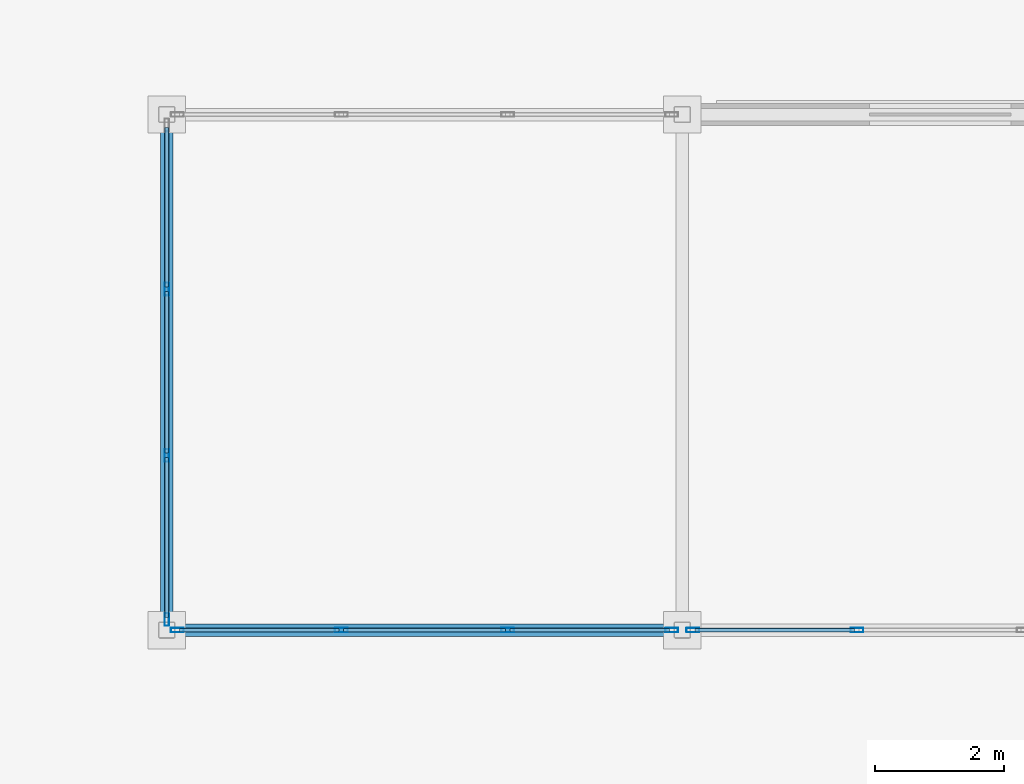
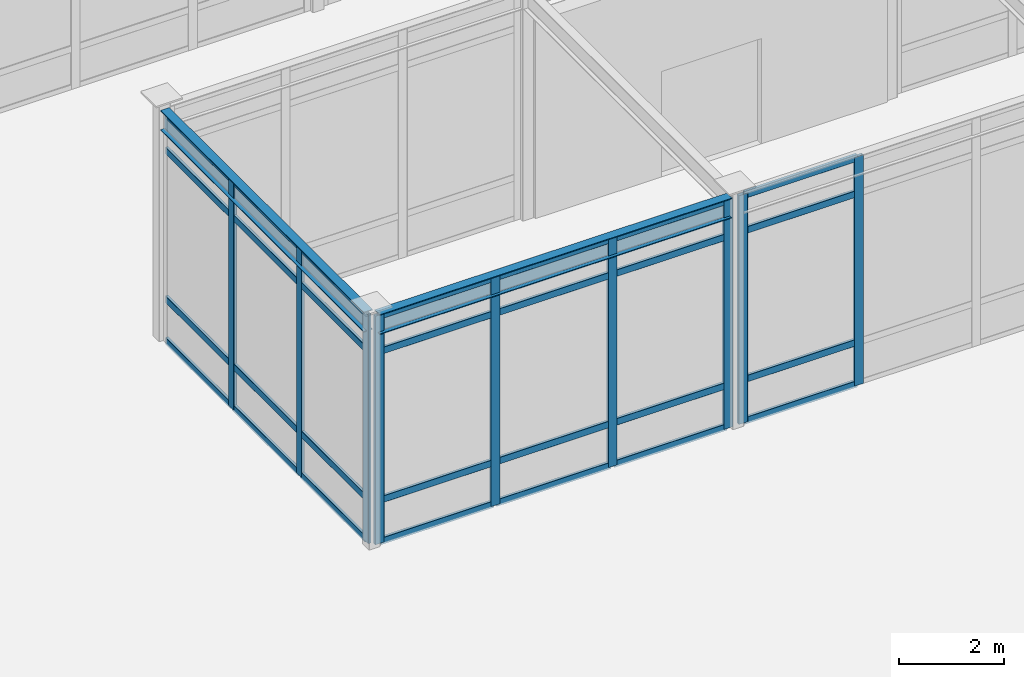
# One storey, part 43 of 128: 37 members, 2 beams, 3 elements without a shape of their own.
"""IFC4 building model written with IfcOpenShell, lengths in metres."""

from ifc_helpers import new_model, si_unit, direction, frame, origin, origin_2d, place, context, subcontext, project, spatial, hollow_rectangle, i_section, extrude, material, material_profile, profile_set, type_object, element, aggregate, save


model = new_model("IFC4")

# Units and contexts
model_context = context("Model", 3, precision=1e-05, world=origin(), true_north=direction((0.0, 1.0)))
body_context = subcontext(model_context, "Body", "Model", "MODEL_VIEW")
ifc_project = project(units=[si_unit("LENGTHUNIT", "METRE"), si_unit("AREAUNIT", "SQUARE_METRE"), si_unit("VOLUMEUNIT", "CUBIC_METRE"), si_unit("PLANEANGLEUNIT", "RADIAN"), si_unit("MASSUNIT", "GRAM", prefix="KILO")], contexts=[model_context])

# Site, building, storey
site_placement = place(None, origin())
site = spatial("IfcSite", under=ifc_project, at=site_placement, CompositionType="ELEMENT")
building_placement = place(site_placement, origin())
building = spatial("IfcBuilding", under=site, at=building_placement, Name="Solmirada Galleria", CompositionType="ELEMENT")
storey_placement = place(building_placement, origin())
storey = spatial("IfcBuildingStorey", under=building, at=storey_placement, Name="L00", CompositionType="ELEMENT", Elevation=0.0)

# Beams
ifc_material_1 = material(Name="Steel S355 / ASTM A992 Grade 50", Category="steel")
ifc_material_profile_1 = material_profile(ifc_material_1, i_section(OverallWidth=0.193115234375, OverallDepth=0.466064453125, WebThickness=0.011474609375, FlangeThickness=0.01904296875, FilletRadius=0.013916015625, at=origin_2d()), Name="W18X65")
ifc_profile_set_1 = profile_set([ifc_material_profile_1], Name="Steel S355 / ASTM A992 Grade 50")
beam_type = type_object("IfcBeamType", Name="BM-GIRD-W18C", PredefinedType="BEAM", material=ifc_profile_set_1)
for number, where, z_axis, x_axis, name in (
    (1, (48.126953125, 56.0, 5.139892578125), (1.0, 0.0, 0.0), (0.0, 1.0, 0.0), "Arcade boutique roof girder BW"),
    (2, (48.0, 56.126953125, 5.139892578125), (0.0, 1.0, 0.0), (-1.0, 0.0, 0.0), "Arcade boutique transverse girder BW"),
):
    element("IfcBeam", number, at=place(storey_placement, frame(where, z_axis=z_axis, x_axis=x_axis)), inside=storey, type_object=beam_type, Name=name, PredefinedType="BEAM", context=body_context, shape_type="SweptSolid", body=[
        extrude(i_section(OverallWidth=0.193115234375, OverallDepth=0.466064453125, WebThickness=0.011474609375, FlangeThickness=0.01904296875, FilletRadius=0.013916015625, at=origin_2d()), origin(), (0.0, 0.0, 1.0), 7.74609375),
    ])

# Curtain wall, members
ifc_material_2 = material(Name="Impact-resistant low-E double glazing", Category="glass")
curtain_wall_type = type_object("IfcCurtainWallType", Name="CW-FZ5-L00-B3-L077", PredefinedType="NOTDEFINED", material=ifc_material_2)
curtain_wall_1_placement = place(storey_placement, origin())
curtain_wall_1 = element("IfcCurtainWall", 3, at=curtain_wall_1_placement, inside=storey, type_object=curtain_wall_type, Name="Terrace and arcade storefront CW-L00-033", PredefinedType="NOTDEFINED")
ifc_material_3 = material(Name="Anodised aluminium framing", Category="aluminium")
ifc_material_profile_2 = material_profile(ifc_material_3, hollow_rectangle(XDim=0.070068359375, YDim=0.199951171875, WallThickness=0.004150390625, InnerFilletRadius=0.004150390625, OuterFilletRadius=0.00830078125, at=origin_2d()), Name="ALU-MULL-200X70")
ifc_profile_set_2 = profile_set([ifc_material_profile_2], Name="Anodised aluminium framing")
member_type_1 = type_object("IfcMemberType", Name="CW-MULL-200", PredefinedType="MULLION", material=ifc_profile_set_2)
member_1_placement = place(storey_placement, frame((58.709716796875, 56.0, 0.0), z_axis=(0.0, 0.0, 1.0), x_axis=(0.0, -1.0, 0.0)))
member_1 = element("IfcMember", 4, at=member_1_placement, type_object=member_type_1, Name="CW08 mullion 3", PredefinedType="MULLION", context=body_context, shape_type="SweptSolid", body=[
    extrude(hollow_rectangle(XDim=0.070068359375, YDim=0.199951171875, WallThickness=0.004150390625, InnerFilletRadius=0.004150390625, OuterFilletRadius=0.00830078125, at=origin_2d()), origin(), (0.0, 0.0, 1.0), 5.320068359375),
])
member_2_placement = place(storey_placement, frame((56.1640625, 56.0, 0.0), z_axis=(0.0, 0.0, 1.0), x_axis=(0.0, -1.0, 0.0)))
member_2 = element("IfcMember", 5, at=member_2_placement, type_object=member_type_1, Name="CW08 mullion 4", PredefinedType="MULLION", context=body_context, shape_type="SweptSolid", body=[
    extrude(hollow_rectangle(XDim=0.070068359375, YDim=0.199951171875, WallThickness=0.004150390625, InnerFilletRadius=0.004150390625, OuterFilletRadius=0.00830078125, at=origin_2d()), origin(), (0.0, 0.0, 1.0), 5.320068359375),
])

curtain_wall_2_placement = place(storey_placement, origin())
curtain_wall_2 = element("IfcCurtainWall", 6, at=curtain_wall_2_placement, inside=storey, type_object=curtain_wall_type, Name="Terrace and arcade storefront CW-L00-034", PredefinedType="NOTDEFINED")
member_3_placement = place(storey_placement, frame((55.8359375, 56.0, 0.0), z_axis=(0.0, 0.0, 1.0), x_axis=(0.0, -1.0, 0.0)))
member_3 = element("IfcMember", 7, at=member_3_placement, type_object=member_type_1, Name="CW08 mullion 1", PredefinedType="MULLION", context=body_context, shape_type="SweptSolid", body=[
    extrude(hollow_rectangle(XDim=0.070068359375, YDim=0.199951171875, WallThickness=0.004150390625, InnerFilletRadius=0.004150390625, OuterFilletRadius=0.00830078125, at=origin_2d()), origin(), (0.0, 0.0, 1.0), 5.320068359375),
])
member_4_placement = place(storey_placement, frame((53.290283203125, 56.0, 0.0), z_axis=(0.0, 0.0, 1.0), x_axis=(0.0, -1.0, 0.0)))
member_4 = element("IfcMember", 8, at=member_4_placement, type_object=member_type_1, Name="CW08 mullion 2", PredefinedType="MULLION", context=body_context, shape_type="SweptSolid", body=[
    extrude(hollow_rectangle(XDim=0.070068359375, YDim=0.199951171875, WallThickness=0.004150390625, InnerFilletRadius=0.004150390625, OuterFilletRadius=0.00830078125, at=origin_2d()), origin(), (0.0, 0.0, 1.0), 5.320068359375),
])
member_5_placement = place(storey_placement, frame((50.709716796875, 56.0, 0.0), z_axis=(0.0, 0.0, 1.0), x_axis=(0.0, -1.0, 0.0)))
member_5 = element("IfcMember", 9, at=member_5_placement, type_object=member_type_1, Name="CW08 mullion 3", PredefinedType="MULLION", context=body_context, shape_type="SweptSolid", body=[
    extrude(hollow_rectangle(XDim=0.070068359375, YDim=0.199951171875, WallThickness=0.004150390625, InnerFilletRadius=0.004150390625, OuterFilletRadius=0.00830078125, at=origin_2d()), origin(), (0.0, 0.0, 1.0), 5.320068359375),
])
member_6_placement = place(storey_placement, frame((48.1640625, 56.0, 0.0), z_axis=(0.0, 0.0, 1.0), x_axis=(0.0, -1.0, 0.0)))
member_6 = element("IfcMember", 10, at=member_6_placement, type_object=member_type_1, Name="CW08 mullion 4", PredefinedType="MULLION", context=body_context, shape_type="SweptSolid", body=[
    extrude(hollow_rectangle(XDim=0.070068359375, YDim=0.199951171875, WallThickness=0.004150390625, InnerFilletRadius=0.004150390625, OuterFilletRadius=0.00830078125, at=origin_2d()), origin(), (0.0, 0.0, 1.0), 5.320068359375),
])

curtain_wall_3_placement = place(storey_placement, origin())
curtain_wall_3 = element("IfcCurtainWall", 11, at=curtain_wall_3_placement, inside=storey, type_object=curtain_wall_type, Name="Terrace and arcade storefront CW-L00-035", PredefinedType="NOTDEFINED")
member_7_placement = place(storey_placement, frame((48.0, 56.1640625, 0.0), z_axis=(0.0, 0.0, 1.0), x_axis=(-1.0, 0.0, 0.0)))
member_7 = element("IfcMember", 12, at=member_7_placement, type_object=member_type_1, Name="CW08 mullion 1", PredefinedType="MULLION", context=body_context, shape_type="SweptSolid", body=[
    extrude(hollow_rectangle(XDim=0.070068359375, YDim=0.199951171875, WallThickness=0.004150390625, InnerFilletRadius=0.004150390625, OuterFilletRadius=0.00830078125, at=origin_2d()), origin(), (0.0, 0.0, 1.0), 5.320068359375),
])
member_8_placement = place(storey_placement, frame((48.0, 58.709716796875, 0.0), z_axis=(0.0, 0.0, 1.0), x_axis=(-1.0, 0.0, 0.0)))
member_8 = element("IfcMember", 13, at=member_8_placement, type_object=member_type_1, Name="CW08 mullion 2", PredefinedType="MULLION", context=body_context, shape_type="SweptSolid", body=[
    extrude(hollow_rectangle(XDim=0.070068359375, YDim=0.199951171875, WallThickness=0.004150390625, InnerFilletRadius=0.004150390625, OuterFilletRadius=0.00830078125, at=origin_2d()), origin(), (0.0, 0.0, 1.0), 5.320068359375),
])
member_9_placement = place(storey_placement, frame((48.0, 61.290283203125, 0.0), z_axis=(0.0, 0.0, 1.0), x_axis=(-1.0, 0.0, 0.0)))
member_9 = element("IfcMember", 14, at=member_9_placement, type_object=member_type_1, Name="CW08 mullion 3", PredefinedType="MULLION", context=body_context, shape_type="SweptSolid", body=[
    extrude(hollow_rectangle(XDim=0.070068359375, YDim=0.199951171875, WallThickness=0.004150390625, InnerFilletRadius=0.004150390625, OuterFilletRadius=0.00830078125, at=origin_2d()), origin(), (0.0, 0.0, 1.0), 5.320068359375),
])

# Member
ifc_material_profile_3 = material_profile(ifc_material_3, hollow_rectangle(XDim=0.06494140625, YDim=0.159912109375, WallThickness=0.00390625, InnerFilletRadius=0.00390625, OuterFilletRadius=0.007568359375, at=origin_2d()), Name="ALU-TRAN-160X65")
ifc_profile_set_3 = profile_set([ifc_material_profile_3], Name="Anodised aluminium framing")
member_type_2 = type_object("IfcMemberType", Name="CW-TRAN-160", PredefinedType="USERDEFINED", material=ifc_profile_set_3)
member_10_placement = place(storey_placement, frame((58.674560546875, 56.0, 0.032470703125), z_axis=(-1.0, 0.0, 0.0), x_axis=(0.0, -1.0, 0.0)))
member_10 = element("IfcMember", 15, at=member_10_placement, type_object=member_type_2, Name="CW08 transom 3.1", ObjectType="TRANSOM", PredefinedType="USERDEFINED", context=body_context, shape_type="SweptSolid", body=[
    extrude(hollow_rectangle(XDim=0.06494140625, YDim=0.159912109375, WallThickness=0.00390625, InnerFilletRadius=0.00390625, OuterFilletRadius=0.007568359375, at=origin_2d()), origin(), (0.0, 0.0, 1.0), 2.4755859375),
])

member_11_placement = place(storey_placement, frame((58.674560546875, 56.0, 1.0), z_axis=(-1.0, 0.0, 0.0), x_axis=(0.0, -1.0, 0.0)))
member_11 = element("IfcMember", 16, at=member_11_placement, type_object=member_type_2, Name="CW08 transom 3.2", ObjectType="TRANSOM", PredefinedType="USERDEFINED", context=body_context, shape_type="SweptSolid", body=[
    extrude(hollow_rectangle(XDim=0.06494140625, YDim=0.159912109375, WallThickness=0.00390625, InnerFilletRadius=0.00390625, OuterFilletRadius=0.007568359375, at=origin_2d()), origin(), (0.0, 0.0, 1.0), 2.4755859375),
])

member_12_placement = place(storey_placement, frame((58.674560546875, 56.0, 4.4599609375), z_axis=(-1.0, 0.0, 0.0), x_axis=(0.0, -1.0, 0.0)))
member_12 = element("IfcMember", 17, at=member_12_placement, type_object=member_type_2, Name="CW08 transom 3.3", ObjectType="TRANSOM", PredefinedType="USERDEFINED", context=body_context, shape_type="SweptSolid", body=[
    extrude(hollow_rectangle(XDim=0.06494140625, YDim=0.159912109375, WallThickness=0.00390625, InnerFilletRadius=0.00390625, OuterFilletRadius=0.007568359375, at=origin_2d()), origin(), (0.0, 0.0, 1.0), 2.4755859375),
])

member_13_placement = place(storey_placement, frame((58.674560546875, 56.0, 5.28759765625), z_axis=(-1.0, 0.0, 0.0), x_axis=(0.0, -1.0, 0.0)))
member_13 = element("IfcMember", 18, at=member_13_placement, type_object=member_type_2, Name="CW08 transom 3.4", ObjectType="TRANSOM", PredefinedType="USERDEFINED", context=body_context, shape_type="SweptSolid", body=[
    extrude(hollow_rectangle(XDim=0.06494140625, YDim=0.159912109375, WallThickness=0.00390625, InnerFilletRadius=0.00390625, OuterFilletRadius=0.007568359375, at=origin_2d()), origin(), (0.0, 0.0, 1.0), 2.4755859375),
])

aggregate(curtain_wall_1, [member_1, member_2, member_10, member_11, member_12, member_13])

member_14_placement = place(storey_placement, frame((55.801025390625, 56.0, 0.032470703125), z_axis=(-1.0, 0.0, 0.0), x_axis=(0.0, -1.0, 0.0)))
member_14 = element("IfcMember", 19, at=member_14_placement, type_object=member_type_2, Name="CW08 transom 1.1", ObjectType="TRANSOM", PredefinedType="USERDEFINED", context=body_context, shape_type="SweptSolid", body=[
    extrude(hollow_rectangle(XDim=0.06494140625, YDim=0.159912109375, WallThickness=0.00390625, InnerFilletRadius=0.00390625, OuterFilletRadius=0.007568359375, at=origin_2d()), origin(), (0.0, 0.0, 1.0), 2.4755859375),
])

member_15_placement = place(storey_placement, frame((55.801025390625, 56.0, 1.0), z_axis=(-1.0, 0.0, 0.0), x_axis=(0.0, -1.0, 0.0)))
member_15 = element("IfcMember", 20, at=member_15_placement, type_object=member_type_2, Name="CW08 transom 1.2", ObjectType="TRANSOM", PredefinedType="USERDEFINED", context=body_context, shape_type="SweptSolid", body=[
    extrude(hollow_rectangle(XDim=0.06494140625, YDim=0.159912109375, WallThickness=0.00390625, InnerFilletRadius=0.00390625, OuterFilletRadius=0.007568359375, at=origin_2d()), origin(), (0.0, 0.0, 1.0), 2.4755859375),
])

member_16_placement = place(storey_placement, frame((55.801025390625, 56.0, 4.4599609375), z_axis=(-1.0, 0.0, 0.0), x_axis=(0.0, -1.0, 0.0)))
member_16 = element("IfcMember", 21, at=member_16_placement, type_object=member_type_2, Name="CW08 transom 1.3", ObjectType="TRANSOM", PredefinedType="USERDEFINED", context=body_context, shape_type="SweptSolid", body=[
    extrude(hollow_rectangle(XDim=0.06494140625, YDim=0.159912109375, WallThickness=0.00390625, InnerFilletRadius=0.00390625, OuterFilletRadius=0.007568359375, at=origin_2d()), origin(), (0.0, 0.0, 1.0), 2.4755859375),
])

member_17_placement = place(storey_placement, frame((55.801025390625, 56.0, 5.28759765625), z_axis=(-1.0, 0.0, 0.0), x_axis=(0.0, -1.0, 0.0)))
member_17 = element("IfcMember", 22, at=member_17_placement, type_object=member_type_2, Name="CW08 transom 1.4", ObjectType="TRANSOM", PredefinedType="USERDEFINED", context=body_context, shape_type="SweptSolid", body=[
    extrude(hollow_rectangle(XDim=0.06494140625, YDim=0.159912109375, WallThickness=0.00390625, InnerFilletRadius=0.00390625, OuterFilletRadius=0.007568359375, at=origin_2d()), origin(), (0.0, 0.0, 1.0), 2.4755859375),
])

member_18_placement = place(storey_placement, frame((53.25537109375, 56.0, 0.032470703125), z_axis=(-1.0, 0.0, 0.0), x_axis=(0.0, -1.0, 0.0)))
member_18 = element("IfcMember", 23, at=member_18_placement, type_object=member_type_2, Name="CW08 transom 2.1", ObjectType="TRANSOM", PredefinedType="USERDEFINED", context=body_context, shape_type="SweptSolid", body=[
    extrude(hollow_rectangle(XDim=0.06494140625, YDim=0.159912109375, WallThickness=0.00390625, InnerFilletRadius=0.00390625, OuterFilletRadius=0.007568359375, at=origin_2d()), origin(), (0.0, 0.0, 1.0), 2.5107421875),
])

member_19_placement = place(storey_placement, frame((53.25537109375, 56.0, 1.0), z_axis=(-1.0, 0.0, 0.0), x_axis=(0.0, -1.0, 0.0)))
member_19 = element("IfcMember", 24, at=member_19_placement, type_object=member_type_2, Name="CW08 transom 2.2", ObjectType="TRANSOM", PredefinedType="USERDEFINED", context=body_context, shape_type="SweptSolid", body=[
    extrude(hollow_rectangle(XDim=0.06494140625, YDim=0.159912109375, WallThickness=0.00390625, InnerFilletRadius=0.00390625, OuterFilletRadius=0.007568359375, at=origin_2d()), origin(), (0.0, 0.0, 1.0), 2.5107421875),
])

member_20_placement = place(storey_placement, frame((53.25537109375, 56.0, 4.4599609375), z_axis=(-1.0, 0.0, 0.0), x_axis=(0.0, -1.0, 0.0)))
member_20 = element("IfcMember", 25, at=member_20_placement, type_object=member_type_2, Name="CW08 transom 2.3", ObjectType="TRANSOM", PredefinedType="USERDEFINED", context=body_context, shape_type="SweptSolid", body=[
    extrude(hollow_rectangle(XDim=0.06494140625, YDim=0.159912109375, WallThickness=0.00390625, InnerFilletRadius=0.00390625, OuterFilletRadius=0.007568359375, at=origin_2d()), origin(), (0.0, 0.0, 1.0), 2.5107421875),
])

member_21_placement = place(storey_placement, frame((53.25537109375, 56.0, 5.28759765625), z_axis=(-1.0, 0.0, 0.0), x_axis=(0.0, -1.0, 0.0)))
member_21 = element("IfcMember", 26, at=member_21_placement, type_object=member_type_2, Name="CW08 transom 2.4", ObjectType="TRANSOM", PredefinedType="USERDEFINED", context=body_context, shape_type="SweptSolid", body=[
    extrude(hollow_rectangle(XDim=0.06494140625, YDim=0.159912109375, WallThickness=0.00390625, InnerFilletRadius=0.00390625, OuterFilletRadius=0.007568359375, at=origin_2d()), origin(), (0.0, 0.0, 1.0), 2.5107421875),
])

member_22_placement = place(storey_placement, frame((50.674560546875, 56.0, 0.032470703125), z_axis=(-1.0, 0.0, 0.0), x_axis=(0.0, -1.0, 0.0)))
member_22 = element("IfcMember", 27, at=member_22_placement, type_object=member_type_2, Name="CW08 transom 3.1", ObjectType="TRANSOM", PredefinedType="USERDEFINED", context=body_context, shape_type="SweptSolid", body=[
    extrude(hollow_rectangle(XDim=0.06494140625, YDim=0.159912109375, WallThickness=0.00390625, InnerFilletRadius=0.00390625, OuterFilletRadius=0.007568359375, at=origin_2d()), origin(), (0.0, 0.0, 1.0), 2.4755859375),
])

member_23_placement = place(storey_placement, frame((50.674560546875, 56.0, 1.0), z_axis=(-1.0, 0.0, 0.0), x_axis=(0.0, -1.0, 0.0)))
member_23 = element("IfcMember", 28, at=member_23_placement, type_object=member_type_2, Name="CW08 transom 3.2", ObjectType="TRANSOM", PredefinedType="USERDEFINED", context=body_context, shape_type="SweptSolid", body=[
    extrude(hollow_rectangle(XDim=0.06494140625, YDim=0.159912109375, WallThickness=0.00390625, InnerFilletRadius=0.00390625, OuterFilletRadius=0.007568359375, at=origin_2d()), origin(), (0.0, 0.0, 1.0), 2.4755859375),
])

member_24_placement = place(storey_placement, frame((50.674560546875, 56.0, 4.4599609375), z_axis=(-1.0, 0.0, 0.0), x_axis=(0.0, -1.0, 0.0)))
member_24 = element("IfcMember", 29, at=member_24_placement, type_object=member_type_2, Name="CW08 transom 3.3", ObjectType="TRANSOM", PredefinedType="USERDEFINED", context=body_context, shape_type="SweptSolid", body=[
    extrude(hollow_rectangle(XDim=0.06494140625, YDim=0.159912109375, WallThickness=0.00390625, InnerFilletRadius=0.00390625, OuterFilletRadius=0.007568359375, at=origin_2d()), origin(), (0.0, 0.0, 1.0), 2.4755859375),
])

member_25_placement = place(storey_placement, frame((50.674560546875, 56.0, 5.28759765625), z_axis=(-1.0, 0.0, 0.0), x_axis=(0.0, -1.0, 0.0)))
member_25 = element("IfcMember", 30, at=member_25_placement, type_object=member_type_2, Name="CW08 transom 3.4", ObjectType="TRANSOM", PredefinedType="USERDEFINED", context=body_context, shape_type="SweptSolid", body=[
    extrude(hollow_rectangle(XDim=0.06494140625, YDim=0.159912109375, WallThickness=0.00390625, InnerFilletRadius=0.00390625, OuterFilletRadius=0.007568359375, at=origin_2d()), origin(), (0.0, 0.0, 1.0), 2.4755859375),
])

aggregate(curtain_wall_2, [member_3, member_4, member_5, member_6, member_14, member_15, member_16, member_17, member_18, member_19, member_20, member_21, member_22, member_23, member_24, member_25])

member_26_placement = place(storey_placement, frame((48.0, 56.198974609375, 0.032470703125), z_axis=(0.0, 1.0, 0.0), x_axis=(-1.0, 0.0, 0.0)))
member_26 = element("IfcMember", 31, at=member_26_placement, type_object=member_type_2, Name="CW08 transom 1.1", ObjectType="TRANSOM", PredefinedType="USERDEFINED", context=body_context, shape_type="SweptSolid", body=[
    extrude(hollow_rectangle(XDim=0.06494140625, YDim=0.159912109375, WallThickness=0.00390625, InnerFilletRadius=0.00390625, OuterFilletRadius=0.007568359375, at=origin_2d()), origin(), (0.0, 0.0, 1.0), 2.4755859375),
])

member_27_placement = place(storey_placement, frame((48.0, 56.198974609375, 1.0), z_axis=(0.0, 1.0, 0.0), x_axis=(-1.0, 0.0, 0.0)))
member_27 = element("IfcMember", 32, at=member_27_placement, type_object=member_type_2, Name="CW08 transom 1.2", ObjectType="TRANSOM", PredefinedType="USERDEFINED", context=body_context, shape_type="SweptSolid", body=[
    extrude(hollow_rectangle(XDim=0.06494140625, YDim=0.159912109375, WallThickness=0.00390625, InnerFilletRadius=0.00390625, OuterFilletRadius=0.007568359375, at=origin_2d()), origin(), (0.0, 0.0, 1.0), 2.4755859375),
])

member_28_placement = place(storey_placement, frame((48.0, 56.198974609375, 4.4599609375), z_axis=(0.0, 1.0, 0.0), x_axis=(-1.0, 0.0, 0.0)))
member_28 = element("IfcMember", 33, at=member_28_placement, type_object=member_type_2, Name="CW08 transom 1.3", ObjectType="TRANSOM", PredefinedType="USERDEFINED", context=body_context, shape_type="SweptSolid", body=[
    extrude(hollow_rectangle(XDim=0.06494140625, YDim=0.159912109375, WallThickness=0.00390625, InnerFilletRadius=0.00390625, OuterFilletRadius=0.007568359375, at=origin_2d()), origin(), (0.0, 0.0, 1.0), 2.4755859375),
])

member_29_placement = place(storey_placement, frame((48.0, 56.198974609375, 5.28759765625), z_axis=(0.0, 1.0, 0.0), x_axis=(-1.0, 0.0, 0.0)))
member_29 = element("IfcMember", 34, at=member_29_placement, type_object=member_type_2, Name="CW08 transom 1.4", ObjectType="TRANSOM", PredefinedType="USERDEFINED", context=body_context, shape_type="SweptSolid", body=[
    extrude(hollow_rectangle(XDim=0.06494140625, YDim=0.159912109375, WallThickness=0.00390625, InnerFilletRadius=0.00390625, OuterFilletRadius=0.007568359375, at=origin_2d()), origin(), (0.0, 0.0, 1.0), 2.4755859375),
])

member_30_placement = place(storey_placement, frame((48.0, 58.74462890625, 0.032470703125), z_axis=(0.0, 1.0, 0.0), x_axis=(-1.0, 0.0, 0.0)))
member_30 = element("IfcMember", 35, at=member_30_placement, type_object=member_type_2, Name="CW08 transom 2.1", ObjectType="TRANSOM", PredefinedType="USERDEFINED", context=body_context, shape_type="SweptSolid", body=[
    extrude(hollow_rectangle(XDim=0.06494140625, YDim=0.159912109375, WallThickness=0.00390625, InnerFilletRadius=0.00390625, OuterFilletRadius=0.007568359375, at=origin_2d()), origin(), (0.0, 0.0, 1.0), 2.5107421875),
])

member_31_placement = place(storey_placement, frame((48.0, 58.74462890625, 1.0), z_axis=(0.0, 1.0, 0.0), x_axis=(-1.0, 0.0, 0.0)))
member_31 = element("IfcMember", 36, at=member_31_placement, type_object=member_type_2, Name="CW08 transom 2.2", ObjectType="TRANSOM", PredefinedType="USERDEFINED", context=body_context, shape_type="SweptSolid", body=[
    extrude(hollow_rectangle(XDim=0.06494140625, YDim=0.159912109375, WallThickness=0.00390625, InnerFilletRadius=0.00390625, OuterFilletRadius=0.007568359375, at=origin_2d()), origin(), (0.0, 0.0, 1.0), 2.5107421875),
])

member_32_placement = place(storey_placement, frame((48.0, 58.74462890625, 4.4599609375), z_axis=(0.0, 1.0, 0.0), x_axis=(-1.0, 0.0, 0.0)))
member_32 = element("IfcMember", 37, at=member_32_placement, type_object=member_type_2, Name="CW08 transom 2.3", ObjectType="TRANSOM", PredefinedType="USERDEFINED", context=body_context, shape_type="SweptSolid", body=[
    extrude(hollow_rectangle(XDim=0.06494140625, YDim=0.159912109375, WallThickness=0.00390625, InnerFilletRadius=0.00390625, OuterFilletRadius=0.007568359375, at=origin_2d()), origin(), (0.0, 0.0, 1.0), 2.5107421875),
])

member_33_placement = place(storey_placement, frame((48.0, 58.74462890625, 5.28759765625), z_axis=(0.0, 1.0, 0.0), x_axis=(-1.0, 0.0, 0.0)))
member_33 = element("IfcMember", 38, at=member_33_placement, type_object=member_type_2, Name="CW08 transom 2.4", ObjectType="TRANSOM", PredefinedType="USERDEFINED", context=body_context, shape_type="SweptSolid", body=[
    extrude(hollow_rectangle(XDim=0.06494140625, YDim=0.159912109375, WallThickness=0.00390625, InnerFilletRadius=0.00390625, OuterFilletRadius=0.007568359375, at=origin_2d()), origin(), (0.0, 0.0, 1.0), 2.5107421875),
])

member_34_placement = place(storey_placement, frame((48.0, 61.325439453125, 0.032470703125), z_axis=(0.0, 1.0, 0.0), x_axis=(-1.0, 0.0, 0.0)))
member_34 = element("IfcMember", 39, at=member_34_placement, type_object=member_type_2, Name="CW08 transom 3.1", ObjectType="TRANSOM", PredefinedType="USERDEFINED", context=body_context, shape_type="SweptSolid", body=[
    extrude(hollow_rectangle(XDim=0.06494140625, YDim=0.159912109375, WallThickness=0.00390625, InnerFilletRadius=0.00390625, OuterFilletRadius=0.007568359375, at=origin_2d()), origin(), (0.0, 0.0, 1.0), 2.4755859375),
])

member_35_placement = place(storey_placement, frame((48.0, 61.325439453125, 1.0), z_axis=(0.0, 1.0, 0.0), x_axis=(-1.0, 0.0, 0.0)))
member_35 = element("IfcMember", 40, at=member_35_placement, type_object=member_type_2, Name="CW08 transom 3.2", ObjectType="TRANSOM", PredefinedType="USERDEFINED", context=body_context, shape_type="SweptSolid", body=[
    extrude(hollow_rectangle(XDim=0.06494140625, YDim=0.159912109375, WallThickness=0.00390625, InnerFilletRadius=0.00390625, OuterFilletRadius=0.007568359375, at=origin_2d()), origin(), (0.0, 0.0, 1.0), 2.4755859375),
])

member_36_placement = place(storey_placement, frame((48.0, 61.325439453125, 4.4599609375), z_axis=(0.0, 1.0, 0.0), x_axis=(-1.0, 0.0, 0.0)))
member_36 = element("IfcMember", 41, at=member_36_placement, type_object=member_type_2, Name="CW08 transom 3.3", ObjectType="TRANSOM", PredefinedType="USERDEFINED", context=body_context, shape_type="SweptSolid", body=[
    extrude(hollow_rectangle(XDim=0.06494140625, YDim=0.159912109375, WallThickness=0.00390625, InnerFilletRadius=0.00390625, OuterFilletRadius=0.007568359375, at=origin_2d()), origin(), (0.0, 0.0, 1.0), 2.4755859375),
])

member_37_placement = place(storey_placement, frame((48.0, 61.325439453125, 5.28759765625), z_axis=(0.0, 1.0, 0.0), x_axis=(-1.0, 0.0, 0.0)))
member_37 = element("IfcMember", 42, at=member_37_placement, type_object=member_type_2, Name="CW08 transom 3.4", ObjectType="TRANSOM", PredefinedType="USERDEFINED", context=body_context, shape_type="SweptSolid", body=[
    extrude(hollow_rectangle(XDim=0.06494140625, YDim=0.159912109375, WallThickness=0.00390625, InnerFilletRadius=0.00390625, OuterFilletRadius=0.007568359375, at=origin_2d()), origin(), (0.0, 0.0, 1.0), 2.4755859375),
])

aggregate(curtain_wall_3, [member_7, member_8, member_9, member_26, member_27, member_28, member_29, member_30, member_31, member_32, member_33, member_34, member_35, member_36, member_37])

save(model, "model.ifc")
